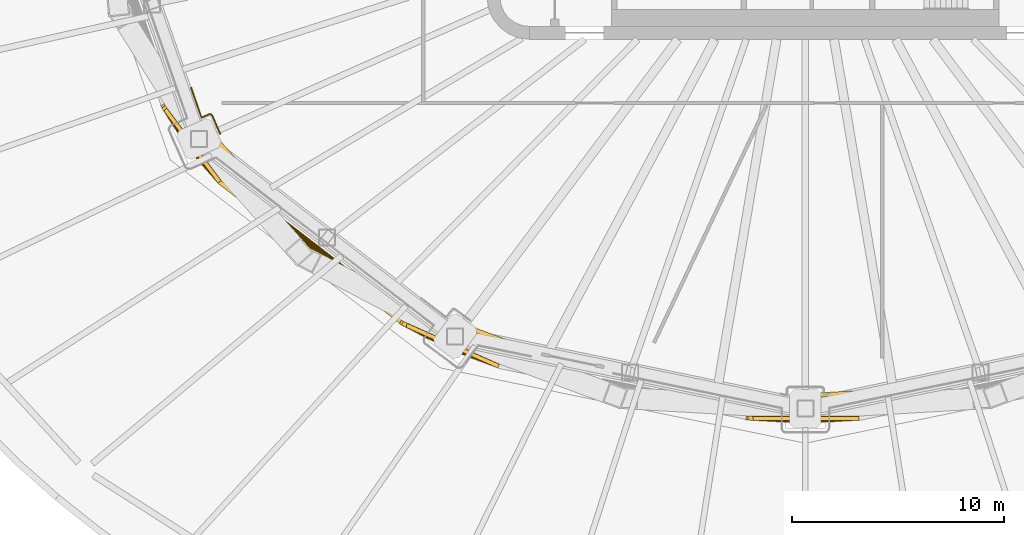
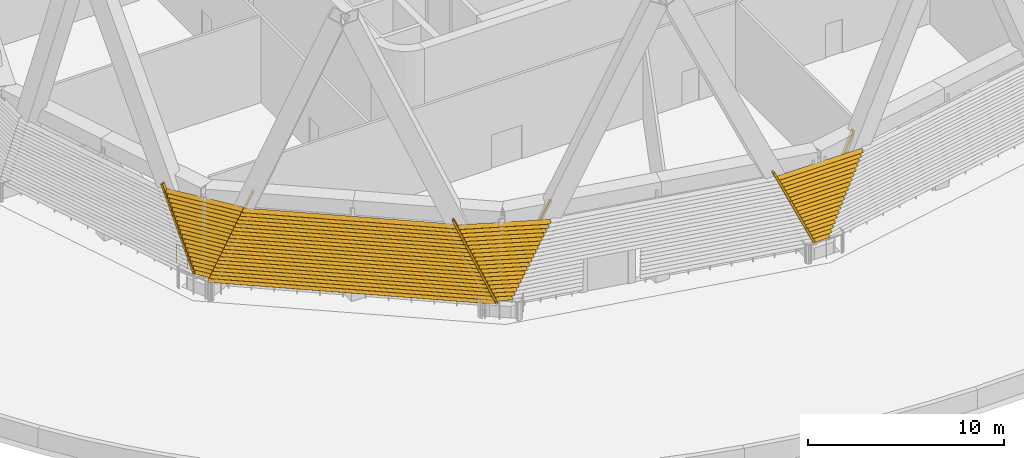
# One storey, part 16 of 27: 4 shading devices, 1 railing.
"""IFC4 building model written with IfcOpenShell, lengths in metres."""

from ifc_helpers import new_model, si_unit, direction, frame, origin, origin_2d, place, context, subcontext, project, spatial, rectangle, circle, extrude, material, type_object, element, save


model = new_model("IFC4")

# Units and contexts
model_context = context("Model", 3, precision=1e-05, world=origin(), true_north=direction((0.0, 1.0)))
body_context = subcontext(model_context, "Body", "Model", "MODEL_VIEW")
ifc_project = project(units=[si_unit("LENGTHUNIT", "METRE"), si_unit("AREAUNIT", "SQUARE_METRE"), si_unit("VOLUMEUNIT", "CUBIC_METRE"), si_unit("PLANEANGLEUNIT", "RADIAN"), si_unit("MASSUNIT", "GRAM", prefix="KILO")], contexts=[model_context])

# Site, building, storey
site_placement = place(None, origin())
site = spatial("IfcSite", under=ifc_project, at=site_placement, CompositionType="ELEMENT")
building_placement = place(site_placement, origin())
building = spatial("IfcBuilding", under=site, at=building_placement, Name="Sahrelin Media Tower", CompositionType="ELEMENT")
storey_placement = place(building_placement, frame((0.0, 0.0, 44.0)))
storey = spatial("IfcBuildingStorey", under=building, at=storey_placement, Name="L06", CompositionType="ELEMENT", Elevation=44.0)

# Railing
ifc_material_1 = material(Name="Stainless steel 316", Category="steel")
railing_type = type_object("IfcRailingType", Name="Maintenance platform guard", PredefinedType="GUARDRAIL", material=ifc_material_1)
railing_placement = place(storey_placement, frame((-27.5712890625, -12.455078125, 0.0)))
element("IfcRailing", 1, at=railing_placement, inside=storey, type_object=railing_type, Name="Plant level edge guard 8", PredefinedType="GUARDRAIL", context=body_context, shape_type="SweptSolid", body=[
    extrude(circle(Radius=0.02392578125, at=origin_2d()), frame((0.0, 0.0, 1.17578125), z_axis=(-0.406283261409, 0.91374718139, 0.0), x_axis=(-0.91374718139, -0.406283261409, 0.0)), (0.0, 0.0, 1.0), 0.938720703125),
    extrude(circle(Radius=0.02392578125, at=origin_2d()), frame((-0.38134765625, 0.857666015625, 1.17578125), z_axis=(-0.466758619558, 0.884384752847, 0.0), x_axis=(-0.884384752847, -0.466758619558, 0.0)), (0.0, 0.0, 1.0), 0.010009765625),
    extrude(circle(Radius=0.02392578125, at=origin_2d()), frame((-0.385986328125, 0.866455078125, 1.17578125), z_axis=(-0.53966611472, 0.841879138964, 0.0), x_axis=(-0.841879138964, -0.53966611472, 0.0)), (0.0, 0.0, 1.0), 0.01123046875),
    extrude(circle(Radius=0.02392578125, at=origin_2d()), frame((-0.39208984375, 0.8759765625, 1.17578125), z_axis=(-0.621394711002, 0.78349767909, 0.0), x_axis=(-0.78349767909, -0.621394711002, 0.0)), (0.0, 0.0, 1.0), 0.009033203125),
    extrude(circle(Radius=0.02392578125, at=origin_2d()), frame((-0.397705078125, 0.883056640625, 1.17578125), z_axis=(-0.658504607869, 0.752576694707, 0.0), x_axis=(-0.752576694707, -0.658504607869, 0.0)), (0.0, 0.0, 1.0), 0.012939453125),
    extrude(circle(Radius=0.02392578125, at=origin_2d()), frame((-0.40625, 0.892822265625, 1.17578125), z_axis=(-0.77137327854, 0.636382954796, 0.0), x_axis=(-0.636382954796, -0.77137327854, 0.0)), (0.0, 0.0, 1.0), 0.0126953125),
    extrude(circle(Radius=0.02392578125, at=origin_2d()), frame((-0.416015625, 0.90087890625, 1.17578125), z_axis=(-0.815180408266, 0.579207132189, 0.0), x_axis=(-0.579207132189, -0.815180408266, 0.0)), (0.0, 0.0, 1.0), 0.011474609375),
    extrude(circle(Radius=0.02392578125, at=origin_2d()), frame((-0.42529296875, 0.907470703125, 1.17578125), z_axis=(-0.875034042418, 0.484061385167, 0.0), x_axis=(-0.484061385167, -0.875034042418, 0.0)), (0.0, 0.0, 1.0), 0.01318359375),
    extrude(circle(Radius=0.02392578125, at=origin_2d()), frame((-0.436767578125, 0.913818359375, 1.17578125), z_axis=(-0.919145030018, 0.393919298579, 0.0), x_axis=(-0.393919298579, -0.919145030018, 0.0)), (0.0, 0.0, 1.0), 0.01123046875),
    extrude(circle(Radius=0.02392578125, at=origin_2d()), frame((-0.447021484375, 0.918212890625, 1.17578125), z_axis=(-0.948683298051, 0.316227766017, 0.0), x_axis=(-0.316227766017, -0.948683298051, 0.0)), (0.0, 0.0, 1.0), 0.010009765625),
    extrude(circle(Radius=0.02392578125, at=origin_2d()), frame((-0.45654296875, 0.92138671875, 1.17578125), z_axis=(-0.971297311632, 0.237868729379, 0.0), x_axis=(-0.237868729379, -0.971297311632, 0.0)), (0.0, 0.0, 1.0), 0.01220703125),
    extrude(circle(Radius=0.02392578125, at=origin_2d()), frame((-0.468505859375, 0.92431640625, 1.17578125), z_axis=(-0.99503719021, 0.099503719021, 0.0), x_axis=(-0.099503719021, -0.99503719021, 0.0)), (0.0, 0.0, 1.0), 0.01220703125),
    extrude(circle(Radius=0.02392578125, at=origin_2d()), frame((-0.480712890625, 0.925537109375, 1.17578125), z_axis=(-0.998052578483, 0.062378286155, 0.0), x_axis=(-0.062378286155, -0.998052578483, 0.0)), (0.0, 0.0, 1.0), 0.01171875),
    extrude(circle(Radius=0.02392578125, at=origin_2d()), frame((-0.492431640625, 0.92626953125, 1.17578125), z_axis=(-0.99522852512, -0.097571424031, 0.0), x_axis=(0.097571424031, -0.99522852512, 0.0)), (0.0, 0.0, 1.0), 0.012451171875),
    extrude(circle(Radius=0.02392578125, at=origin_2d()), frame((-0.5048828125, 0.925048828125, 1.17578125), z_axis=(-0.987440631917, -0.157990501107, 0.0), x_axis=(0.157990501107, -0.987440631917, 0.0)), (0.0, 0.0, 1.0), 0.012451171875),
    extrude(circle(Radius=0.02392578125, at=origin_2d()), frame((-0.51708984375, 0.923095703125, 1.17578125), z_axis=(-0.950605456491, -0.310401781711, 0.0), x_axis=(0.310401781711, -0.950605456491, 0.0)), (0.0, 0.0, 1.0), 0.0126953125),
    extrude(circle(Radius=0.02392578125, at=origin_2d()), frame((-0.529052734375, 0.919189453125, 1.17578125), z_axis=(-0.934997526318, -0.354654234121, 0.0), x_axis=(0.354654234121, -0.934997526318, 0.0)), (0.0, 0.0, 1.0), 0.007568359375),
    extrude(circle(Radius=0.02392578125, at=origin_2d()), frame((-0.5361328125, 0.91650390625, 1.17578125), z_axis=(-0.913891374695, -0.405958809805, 0.0), x_axis=(0.405958809805, -0.913891374695, 0.0)), (0.0, 0.0, 1.0), 0.378173828125),
    extrude(circle(Radius=0.02392578125, at=origin_2d()), frame((-0.8818359375, 0.762939453125, 1.17578125), z_axis=(-0.328798392756, 0.944400136024, 0.0), x_axis=(-0.944400136024, -0.328798392756, 0.0)), (0.0, 0.0, 1.0), 1.5),
    extrude(circle(Radius=0.02099609375, at=origin_2d()), origin(), (0.0, 0.0, 1.0), 1.15185546875),
    extrude(circle(Radius=0.02099609375, at=origin_2d()), frame((-0.38134765625, 0.857666015625, 0.0)), (0.0, 0.0, 1.0), 1.15185546875),
    extrude(circle(Radius=0.02099609375, at=origin_2d()), frame((-0.385986328125, 0.866455078125, 0.0)), (0.0, 0.0, 1.0), 1.15185546875),
    extrude(circle(Radius=0.02099609375, at=origin_2d()), frame((-0.39208984375, 0.8759765625, 0.0)), (0.0, 0.0, 1.0), 1.15185546875),
    extrude(circle(Radius=0.02099609375, at=origin_2d()), frame((-0.397705078125, 0.883056640625, 0.0)), (0.0, 0.0, 1.0), 1.15185546875),
    extrude(circle(Radius=0.02099609375, at=origin_2d()), frame((-0.40625, 0.892822265625, 0.0)), (0.0, 0.0, 1.0), 1.15185546875),
    extrude(circle(Radius=0.02099609375, at=origin_2d()), frame((-0.416015625, 0.90087890625, 0.0)), (0.0, 0.0, 1.0), 1.15185546875),
    extrude(circle(Radius=0.02099609375, at=origin_2d()), frame((-0.42529296875, 0.907470703125, 0.0)), (0.0, 0.0, 1.0), 1.15185546875),
    extrude(circle(Radius=0.02099609375, at=origin_2d()), frame((-0.436767578125, 0.913818359375, 0.0)), (0.0, 0.0, 1.0), 1.15185546875),
    extrude(circle(Radius=0.02099609375, at=origin_2d()), frame((-0.447021484375, 0.918212890625, 0.0)), (0.0, 0.0, 1.0), 1.15185546875),
    extrude(circle(Radius=0.02099609375, at=origin_2d()), frame((-0.45654296875, 0.92138671875, 0.0)), (0.0, 0.0, 1.0), 1.15185546875),
    extrude(circle(Radius=0.02099609375, at=origin_2d()), frame((-0.468505859375, 0.92431640625, 0.0)), (0.0, 0.0, 1.0), 1.15185546875),
    extrude(circle(Radius=0.02099609375, at=origin_2d()), frame((-0.480712890625, 0.925537109375, 0.0)), (0.0, 0.0, 1.0), 1.15185546875),
    extrude(circle(Radius=0.02099609375, at=origin_2d()), frame((-0.492431640625, 0.92626953125, 0.0)), (0.0, 0.0, 1.0), 1.15185546875),
    extrude(circle(Radius=0.02099609375, at=origin_2d()), frame((-0.5048828125, 0.925048828125, 0.0)), (0.0, 0.0, 1.0), 1.15185546875),
    extrude(circle(Radius=0.02099609375, at=origin_2d()), frame((-0.51708984375, 0.923095703125, 0.0)), (0.0, 0.0, 1.0), 1.15185546875),
    extrude(circle(Radius=0.02099609375, at=origin_2d()), frame((-0.529052734375, 0.919189453125, 0.0)), (0.0, 0.0, 1.0), 1.15185546875),
    extrude(circle(Radius=0.02099609375, at=origin_2d()), frame((-0.5361328125, 0.91650390625, 0.0)), (0.0, 0.0, 1.0), 1.15185546875),
    extrude(circle(Radius=0.02099609375, at=origin_2d()), frame((-0.8818359375, 0.762939453125, 0.0)), (0.0, 0.0, 1.0), 1.15185546875),
    extrude(circle(Radius=0.02099609375, at=origin_2d()), frame((-1.12841796875, 1.47119140625, 0.0)), (0.0, 0.0, 1.0), 1.15185546875),
    extrude(circle(Radius=0.02099609375, at=origin_2d()), frame((-1.375, 2.179443359375, 0.0)), (0.0, 0.0, 1.0), 1.15185546875),
])

# Shading devices
ifc_material_2 = material(Name="Champagne anodised aluminium 6063-T6", Category="aluminium")
shading_device_type = type_object("IfcShadingDeviceType", Name="Sand-rejection louvre band", PredefinedType="USERDEFINED", material=ifc_material_2)
shading_device_1_placement = place(storey_placement, frame((-28.564453125, -12.71923828125, 0.0), z_axis=(0.0, 0.0, 1.0), x_axis=(-0.6, 0.8, 0.0)))
element("IfcShadingDevice", 2, at=shading_device_1_placement, inside=storey, type_object=shading_device_type, Name="L06:LOUVRE:L06-14", ObjectType="LOUVRE", PredefinedType="USERDEFINED", context=body_context, shape_type="SweptSolid", body=[
    extrude(rectangle(XDim=0.199951171875, YDim=0.1201171875, at=origin_2d()), frame((0.428955078125, 0.56787109375, 0.949951171875), z_axis=(0.349254108334, -0.029641998978, 0.936559085007), x_axis=(0.084568259593, 0.996417688256, 0.0)), (0.0, 0.0, 1.0), 5.337158203125),
    extrude(rectangle(XDim=0.199951171875, YDim=0.1201171875, at=origin_2d()), frame((-0.295166015625, -0.628173828125, 0.949951171875), z_axis=(-0.361058414032, -0.029454645553, 0.932077918155), x_axis=(0.081308507287, -0.996688981901, 0.0)), (0.0, 0.0, 1.0), 5.36279296875),
    extrude(rectangle(XDim=0.25, YDim=0.02001953125, at=origin_2d()), frame((0.466552734375, 0.56689453125, 1.050048828125), z_axis=(-1.0, 0.0, 0.0), x_axis=(0.0, -0.766044443119, 0.642787609687)), (0.0, 0.0, 1.0), 0.898193359375),
    extrude(rectangle(XDim=0.25, YDim=0.02001953125, at=origin_2d()), frame((0.559814453125, 0.558837890625, 1.300048828125), z_axis=(-1.0, 0.0, 0.0), x_axis=(0.0, -0.766044443119, 0.642787609687)), (0.0, 0.0, 1.0), 1.08837890625),
    extrude(rectangle(XDim=0.25, YDim=0.02001953125, at=origin_2d()), frame((0.653076171875, 0.551025390625, 1.550048828125), z_axis=(-1.0, 0.0, 0.0), x_axis=(0.0, -0.766044443119, 0.642787609687)), (0.0, 0.0, 1.0), 1.278564453125),
    extrude(rectangle(XDim=0.25, YDim=0.02001953125, at=origin_2d()), frame((0.74609375, 0.543212890625, 1.800048828125), z_axis=(-1.0, 0.0, 0.0), x_axis=(0.0, -0.766044443119, 0.642787609687)), (0.0, 0.0, 1.0), 1.46826171875),
    extrude(rectangle(XDim=0.25, YDim=0.02001953125, at=origin_2d()), frame((0.83935546875, 0.53515625, 2.050048828125), z_axis=(-1.0, 0.0, 0.0), x_axis=(0.0, -0.766044443119, 0.642787609687)), (0.0, 0.0, 1.0), 1.658447265625),
    extrude(rectangle(XDim=0.25, YDim=0.02001953125, at=origin_2d()), frame((0.9326171875, 0.527099609375, 2.300048828125), z_axis=(-1.0, 0.0, 0.0), x_axis=(0.0, -0.766044443119, 0.642787609687)), (0.0, 0.0, 1.0), 1.8486328125),
    extrude(rectangle(XDim=0.25, YDim=0.02001953125, at=origin_2d()), frame((1.02587890625, 0.519287109375, 2.550048828125), z_axis=(-1.0, 0.0, 0.0), x_axis=(0.0, -0.766044443119, 0.642787609687)), (0.0, 0.0, 1.0), 2.03857421875),
    extrude(rectangle(XDim=0.25, YDim=0.02001953125, at=origin_2d()), frame((1.119140625, 0.511474609375, 2.800048828125), z_axis=(-1.0, 0.0, 0.0), x_axis=(0.0, -0.766044443119, 0.642787609687)), (0.0, 0.0, 1.0), 2.228759765625),
    extrude(rectangle(XDim=0.25, YDim=0.02001953125, at=origin_2d()), frame((1.21240234375, 0.50341796875, 3.050048828125), z_axis=(-1.0, 0.0, 0.0), x_axis=(0.0, -0.766044443119, 0.642787609687)), (0.0, 0.0, 1.0), 2.4189453125),
    extrude(rectangle(XDim=0.25, YDim=0.02001953125, at=origin_2d()), frame((1.305419921875, 0.49560546875, 3.300048828125), z_axis=(-1.0, 0.0, 0.0), x_axis=(0.0, -0.766044443119, 0.642787609687)), (0.0, 0.0, 1.0), 2.608642578125),
    extrude(rectangle(XDim=0.25, YDim=0.02001953125, at=origin_2d()), frame((1.398681640625, 0.48779296875, 3.550048828125), z_axis=(-1.0, 0.0, 0.0), x_axis=(0.0, -0.766044443119, 0.642787609687)), (0.0, 0.0, 1.0), 2.798828125),
    extrude(rectangle(XDim=0.25, YDim=0.02001953125, at=origin_2d()), frame((1.491943359375, 0.479736328125, 3.800048828125), z_axis=(-1.0, 0.0, 0.0), x_axis=(0.0, -0.766044443119, 0.642787609687)), (0.0, 0.0, 1.0), 2.989013671875),
    extrude(rectangle(XDim=0.25, YDim=0.02001953125, at=origin_2d()), frame((1.585205078125, 0.471923828125, 4.050048828125), z_axis=(-1.0, 0.0, 0.0), x_axis=(0.0, -0.766044443119, 0.642787609687)), (0.0, 0.0, 1.0), 3.17919921875),
    extrude(rectangle(XDim=0.25, YDim=0.02001953125, at=origin_2d()), frame((1.678466796875, 0.464111328125, 4.300048828125), z_axis=(-1.0, 0.0, 0.0), x_axis=(0.0, -0.766044443119, 0.642787609687)), (0.0, 0.0, 1.0), 3.369140625),
    extrude(rectangle(XDim=0.25, YDim=0.02001953125, at=origin_2d()), frame((1.771484375, 0.4560546875, 4.550048828125), z_axis=(-1.0, 0.0, 0.0), x_axis=(0.0, -0.766044443119, 0.642787609687)), (0.0, 0.0, 1.0), 3.55908203125),
    extrude(rectangle(XDim=0.25, YDim=0.02001953125, at=origin_2d()), frame((1.86474609375, 0.447998046875, 4.800048828125), z_axis=(-1.0, 0.0, 0.0), x_axis=(0.0, -0.766044443119, 0.642787609687)), (0.0, 0.0, 1.0), 3.749267578125),
    extrude(rectangle(XDim=0.25, YDim=0.02001953125, at=origin_2d()), frame((1.9580078125, 0.440185546875, 5.050048828125), z_axis=(-1.0, 0.0, 0.0), x_axis=(0.0, -0.766044443119, 0.642787609687)), (0.0, 0.0, 1.0), 3.939208984375),
    extrude(rectangle(XDim=0.25, YDim=0.02001953125, at=origin_2d()), frame((2.05126953125, 0.432373046875, 5.300048828125), z_axis=(-1.0, 0.0, 0.0), x_axis=(0.0, -0.766044443119, 0.642787609687)), (0.0, 0.0, 1.0), 4.12939453125),
    extrude(rectangle(XDim=0.25, YDim=0.02001953125, at=origin_2d()), frame((2.14453125, 0.42431640625, 5.550048828125), z_axis=(-1.0, 0.0, 0.0), x_axis=(0.0, -0.766044443119, 0.642787609687)), (0.0, 0.0, 1.0), 4.319580078125),
])
shading_device_2_placement = place(storey_placement, frame((-22.594482421875, -17.30615234375, 0.0), z_axis=(0.0, 0.0, 1.0), x_axis=(-0.792449224512, 0.609937887469, 0.0)))
element("IfcShadingDevice", 3, at=shading_device_2_placement, inside=storey, type_object=shading_device_type, Name="L06:LOUVRE:L06-15", ObjectType="LOUVRE", PredefinedType="USERDEFINED", context=body_context, shape_type="SweptSolid", body=[
    extrude(rectangle(XDim=0.199951171875, YDim=0.1201171875, at=origin_2d()), frame((7.190673828125, -0.54150390625, 0.64990234375), z_axis=(-0.355770461519, 0.068328199454, 0.932072226745), x_axis=(-0.188609953797, -0.982052078725, 0.0)), (0.0, 0.0, 1.0), 5.684814453125),
    extrude(rectangle(XDim=0.199951171875, YDim=0.1201171875, at=origin_2d()), frame((-7.520263671875, 0.638671875, 0.64990234375), z_axis=(0.386774227408, 0.067421693416, 0.919706481585), x_axis=(-0.171728349686, 0.985144341665, 0.0)), (0.0, 0.0, 1.0), 5.76123046875),
    extrude(rectangle(XDim=0.25, YDim=0.02001953125, at=origin_2d()), frame((7.380859375, 0.655029296875, 0.75), z_axis=(-1.0, 0.0, 0.0), x_axis=(0.0, -0.766044443119, 0.642787609687)), (0.0, 0.0, 1.0), 14.860595703125),
    extrude(rectangle(XDim=0.25, YDim=0.02001953125, at=origin_2d()), frame((7.285400390625, 0.67333984375, 1.0), z_axis=(-1.0, 0.0, 0.0), x_axis=(0.0, -0.766044443119, 0.642787609687)), (0.0, 0.0, 1.0), 14.659912109375),
    extrude(rectangle(XDim=0.25, YDim=0.02001953125, at=origin_2d()), frame((7.18994140625, 0.691650390625, 1.25), z_axis=(-1.0, 0.0, 0.0), x_axis=(0.0, -0.766044443119, 0.642787609687)), (0.0, 0.0, 1.0), 14.45947265625),
    extrude(rectangle(XDim=0.25, YDim=0.02001953125, at=origin_2d()), frame((7.094482421875, 0.7099609375, 1.5), z_axis=(-1.0, 0.0, 0.0), x_axis=(0.0, -0.766044443119, 0.642787609687)), (0.0, 0.0, 1.0), 14.2587890625),
    extrude(rectangle(XDim=0.25, YDim=0.02001953125, at=origin_2d()), frame((6.9990234375, 0.728271484375, 1.75), z_axis=(-1.0, 0.0, 0.0), x_axis=(0.0, -0.766044443119, 0.642787609687)), (0.0, 0.0, 1.0), 14.05810546875),
    extrude(rectangle(XDim=0.25, YDim=0.02001953125, at=origin_2d()), frame((6.90380859375, 0.74658203125, 2.0), z_axis=(-1.0, 0.0, 0.0), x_axis=(0.0, -0.766044443119, 0.642787609687)), (0.0, 0.0, 1.0), 13.85791015625),
    extrude(rectangle(XDim=0.25, YDim=0.02001953125, at=origin_2d()), frame((6.808349609375, 0.764892578125, 2.25), z_axis=(-1.0, 0.0, 0.0), x_axis=(0.0, -0.766044443119, 0.642787609687)), (0.0, 0.0, 1.0), 13.657470703125),
    extrude(rectangle(XDim=0.25, YDim=0.02001953125, at=origin_2d()), frame((6.712890625, 0.783203125, 2.5), z_axis=(-1.0, 0.0, 0.0), x_axis=(0.0, -0.766044443119, 0.642787609687)), (0.0, 0.0, 1.0), 13.456787109375),
    extrude(rectangle(XDim=0.25, YDim=0.02001953125, at=origin_2d()), frame((6.617431640625, 0.801513671875, 2.75), z_axis=(-1.0, 0.0, 0.0), x_axis=(0.0, -0.766044443119, 0.642787609687)), (0.0, 0.0, 1.0), 13.256103515625),
    extrude(rectangle(XDim=0.25, YDim=0.02001953125, at=origin_2d()), frame((6.52197265625, 0.820068359375, 3.0), z_axis=(-1.0, 0.0, 0.0), x_axis=(0.0, -0.766044443119, 0.642787609687)), (0.0, 0.0, 1.0), 13.0556640625),
    extrude(rectangle(XDim=0.25, YDim=0.02001953125, at=origin_2d()), frame((6.426513671875, 0.83837890625, 3.25), z_axis=(-1.0, 0.0, 0.0), x_axis=(0.0, -0.766044443119, 0.642787609687)), (0.0, 0.0, 1.0), 12.85498046875),
    extrude(rectangle(XDim=0.25, YDim=0.02001953125, at=origin_2d()), frame((6.3310546875, 0.856689453125, 3.5), z_axis=(-1.0, 0.0, 0.0), x_axis=(0.0, -0.766044443119, 0.642787609687)), (0.0, 0.0, 1.0), 12.654296875),
    extrude(rectangle(XDim=0.25, YDim=0.02001953125, at=origin_2d()), frame((6.235595703125, 0.875, 3.75), z_axis=(-1.0, 0.0, 0.0), x_axis=(0.0, -0.766044443119, 0.642787609687)), (0.0, 0.0, 1.0), 12.453857421875),
    extrude(rectangle(XDim=0.25, YDim=0.02001953125, at=origin_2d()), frame((6.140380859375, 0.893310546875, 4.0), z_axis=(-1.0, 0.0, 0.0), x_axis=(0.0, -0.766044443119, 0.642787609687)), (0.0, 0.0, 1.0), 12.25341796875),
    extrude(rectangle(XDim=0.25, YDim=0.02001953125, at=origin_2d()), frame((6.044921875, 0.91162109375, 4.25), z_axis=(-1.0, 0.0, 0.0), x_axis=(0.0, -0.766044443119, 0.642787609687)), (0.0, 0.0, 1.0), 12.052734375),
    extrude(rectangle(XDim=0.25, YDim=0.02001953125, at=origin_2d()), frame((5.949462890625, 0.929931640625, 4.5), z_axis=(-1.0, 0.0, 0.0), x_axis=(0.0, -0.766044443119, 0.642787609687)), (0.0, 0.0, 1.0), 11.852294921875),
    extrude(rectangle(XDim=0.25, YDim=0.02001953125, at=origin_2d()), frame((5.85400390625, 0.9482421875, 4.75), z_axis=(-1.0, 0.0, 0.0), x_axis=(0.0, -0.766044443119, 0.642787609687)), (0.0, 0.0, 1.0), 11.651611328125),
    extrude(rectangle(XDim=0.25, YDim=0.02001953125, at=origin_2d()), frame((5.758544921875, 0.966552734375, 5.0), z_axis=(-1.0, 0.0, 0.0), x_axis=(0.0, -0.766044443119, 0.642787609687)), (0.0, 0.0, 1.0), 11.450927734375),
    extrude(rectangle(XDim=0.25, YDim=0.02001953125, at=origin_2d()), frame((5.6630859375, 0.98486328125, 5.25), z_axis=(-1.0, 0.0, 0.0), x_axis=(0.0, -0.766044443119, 0.642787609687)), (0.0, 0.0, 1.0), 11.25048828125),
    extrude(rectangle(XDim=0.25, YDim=0.02001953125, at=origin_2d()), frame((5.567626953125, 1.003173828125, 5.5), z_axis=(-1.0, 0.0, 0.0), x_axis=(0.0, -0.766044443119, 0.642787609687)), (0.0, 0.0, 1.0), 11.050048828125),
])
shading_device_3_placement = place(storey_placement, frame((-16.480712890625, -22.005615234375, 0.0), z_axis=(0.0, 0.0, 1.0), x_axis=(-0.913823919654, 0.406110630085, 0.0)))
element("IfcShadingDevice", 4, at=shading_device_3_placement, inside=storey, type_object=shading_device_type, Name="L06:LOUVRE:L06-16", ObjectType="LOUVRE", PredefinedType="USERDEFINED", context=body_context, shape_type="SweptSolid", body=[
    extrude(rectangle(XDim=0.199951171875, YDim=0.1201171875, at=origin_2d()), frame((0.42236328125, 0.5751953125, 0.85009765625), z_axis=(0.391747813898, -0.02563206607, 0.919715525309), x_axis=(0.065290409158, 0.997866304909, 0.0)), (0.0, 0.0, 1.0), 5.54345703125),
    extrude(rectangle(XDim=0.199951171875, YDim=0.1201171875, at=origin_2d()), frame((-0.313720703125, -0.622314453125, 0.85009765625), z_axis=(-0.401670065779, -0.025512602672, 0.915429006184), x_axis=(0.063388579339, -0.997988921787, 0.0)), (0.0, 0.0, 1.0), 5.5693359375),
    extrude(rectangle(XDim=0.25, YDim=0.02001953125, at=origin_2d()), frame((0.465087890625, 0.573486328125, 0.949951171875), z_axis=(-1.0, 0.0, 0.0), x_axis=(0.0, -0.766044443119, 0.642787609687)), (0.0, 0.0, 1.0), 0.898681640625),
    extrude(rectangle(XDim=0.25, YDim=0.02001953125, at=origin_2d()), frame((0.571533203125, 0.566650390625, 1.199951171875), z_axis=(-1.0, 0.0, 0.0), x_axis=(0.0, -0.766044443119, 0.642787609687)), (0.0, 0.0, 1.0), 1.114990234375),
    extrude(rectangle(XDim=0.25, YDim=0.02001953125, at=origin_2d()), frame((0.677978515625, 0.559814453125, 1.449951171875), z_axis=(-1.0, 0.0, 0.0), x_axis=(0.0, -0.766044443119, 0.642787609687)), (0.0, 0.0, 1.0), 1.3310546875),
    extrude(rectangle(XDim=0.25, YDim=0.02001953125, at=origin_2d()), frame((0.784423828125, 0.552734375, 1.699951171875), z_axis=(-1.0, 0.0, 0.0), x_axis=(0.0, -0.766044443119, 0.642787609687)), (0.0, 0.0, 1.0), 1.547119140625),
    extrude(rectangle(XDim=0.25, YDim=0.02001953125, at=origin_2d()), frame((0.890869140625, 0.5458984375, 1.949951171875), z_axis=(-1.0, 0.0, 0.0), x_axis=(0.0, -0.766044443119, 0.642787609687)), (0.0, 0.0, 1.0), 1.76318359375),
    extrude(rectangle(XDim=0.25, YDim=0.02001953125, at=origin_2d()), frame((0.997314453125, 0.538818359375, 2.199951171875), z_axis=(-1.0, 0.0, 0.0), x_axis=(0.0, -0.766044443119, 0.642787609687)), (0.0, 0.0, 1.0), 1.9794921875),
    extrude(rectangle(XDim=0.25, YDim=0.02001953125, at=origin_2d()), frame((1.10400390625, 0.531982421875, 2.449951171875), z_axis=(-1.0, 0.0, 0.0), x_axis=(0.0, -0.766044443119, 0.642787609687)), (0.0, 0.0, 1.0), 2.19580078125),
    extrude(rectangle(XDim=0.25, YDim=0.02001953125, at=origin_2d()), frame((1.21044921875, 0.52490234375, 2.699951171875), z_axis=(-1.0, 0.0, 0.0), x_axis=(0.0, -0.766044443119, 0.642787609687)), (0.0, 0.0, 1.0), 2.411865234375),
    extrude(rectangle(XDim=0.25, YDim=0.02001953125, at=origin_2d()), frame((1.31689453125, 0.51806640625, 2.949951171875), z_axis=(-1.0, 0.0, 0.0), x_axis=(0.0, -0.766044443119, 0.642787609687)), (0.0, 0.0, 1.0), 2.628173828125),
    extrude(rectangle(XDim=0.25, YDim=0.02001953125, at=origin_2d()), frame((1.42333984375, 0.510986328125, 3.199951171875), z_axis=(-1.0, 0.0, 0.0), x_axis=(0.0, -0.766044443119, 0.642787609687)), (0.0, 0.0, 1.0), 2.84423828125),
    extrude(rectangle(XDim=0.25, YDim=0.02001953125, at=origin_2d()), frame((1.52978515625, 0.504150390625, 3.449951171875), z_axis=(-1.0, 0.0, 0.0), x_axis=(0.0, -0.766044443119, 0.642787609687)), (0.0, 0.0, 1.0), 3.060302734375),
    extrude(rectangle(XDim=0.25, YDim=0.02001953125, at=origin_2d()), frame((1.636474609375, 0.4970703125, 3.699951171875), z_axis=(-1.0, 0.0, 0.0), x_axis=(0.0, -0.766044443119, 0.642787609687)), (0.0, 0.0, 1.0), 3.276611328125),
    extrude(rectangle(XDim=0.25, YDim=0.02001953125, at=origin_2d()), frame((1.742919921875, 0.489990234375, 3.949951171875), z_axis=(-1.0, 0.0, 0.0), x_axis=(0.0, -0.766044443119, 0.642787609687)), (0.0, 0.0, 1.0), 3.492919921875),
    extrude(rectangle(XDim=0.25, YDim=0.02001953125, at=origin_2d()), frame((1.849365234375, 0.483154296875, 4.199951171875), z_axis=(-1.0, 0.0, 0.0), x_axis=(0.0, -0.766044443119, 0.642787609687)), (0.0, 0.0, 1.0), 3.708984375),
    extrude(rectangle(XDim=0.25, YDim=0.02001953125, at=origin_2d()), frame((1.955810546875, 0.476318359375, 4.449951171875), z_axis=(-1.0, 0.0, 0.0), x_axis=(0.0, -0.766044443119, 0.642787609687)), (0.0, 0.0, 1.0), 3.925048828125),
    extrude(rectangle(XDim=0.25, YDim=0.02001953125, at=origin_2d()), frame((2.062255859375, 0.46923828125, 4.699951171875), z_axis=(-1.0, 0.0, 0.0), x_axis=(0.0, -0.766044443119, 0.642787609687)), (0.0, 0.0, 1.0), 4.14111328125),
    extrude(rectangle(XDim=0.25, YDim=0.02001953125, at=origin_2d()), frame((2.168701171875, 0.46240234375, 4.949951171875), z_axis=(-1.0, 0.0, 0.0), x_axis=(0.0, -0.766044443119, 0.642787609687)), (0.0, 0.0, 1.0), 4.357421875),
    extrude(rectangle(XDim=0.25, YDim=0.02001953125, at=origin_2d()), frame((2.275390625, 0.455322265625, 5.199951171875), z_axis=(-1.0, 0.0, 0.0), x_axis=(0.0, -0.766044443119, 0.642787609687)), (0.0, 0.0, 1.0), 4.57373046875),
    extrude(rectangle(XDim=0.25, YDim=0.02001953125, at=origin_2d()), frame((2.3818359375, 0.448486328125, 5.449951171875), z_axis=(-1.0, 0.0, 0.0), x_axis=(0.0, -0.766044443119, 0.642787609687)), (0.0, 0.0, 1.0), 4.789794921875),
])
shading_device_4_placement = place(storey_placement, frame((0.0, -25.39990234375, 0.0), z_axis=(0.0, 0.0, 1.0), x_axis=(-1.0, 0.0, 0.0)))
element("IfcShadingDevice", 5, at=shading_device_4_placement, inside=storey, type_object=shading_device_type, Name="L06:LOUVRE:L06-18", ObjectType="LOUVRE", PredefinedType="USERDEFINED", context=body_context, shape_type="SweptSolid", body=[
    extrude(rectangle(XDim=0.199951171875, YDim=0.1201171875, at=origin_2d()), frame((0.42236328125, 0.57666015625, 0.85009765625), z_axis=(0.414936891707, -0.023998134495, 0.909533652726), x_axis=(0.057739138144, 0.998331704358, 0.0)), (0.0, 0.0, 1.0), 5.60546875),
    extrude(rectangle(XDim=0.199951171875, YDim=0.1201171875, at=origin_2d()), frame((-0.353271484375, -0.621337890625, 0.85009765625), z_axis=(-0.414936891707, -0.023998134495, 0.909533652726), x_axis=(0.057739138144, -0.998331704358, 0.0)), (0.0, 0.0, 1.0), 5.60546875),
    extrude(rectangle(XDim=0.25, YDim=0.02001953125, at=origin_2d()), frame((0.468017578125, 0.574951171875, 0.949951171875), z_axis=(-1.0, 0.0, 0.0), x_axis=(0.0, -0.766044443119, 0.642787609687)), (0.0, 0.0, 1.0), 0.93603515625),
    extrude(rectangle(XDim=0.25, YDim=0.02001953125, at=origin_2d()), frame((0.58203125, 0.568359375, 1.199951171875), z_axis=(-1.0, 0.0, 0.0), x_axis=(0.0, -0.766044443119, 0.642787609687)), (0.0, 0.0, 1.0), 1.1640625),
    extrude(rectangle(XDim=0.25, YDim=0.02001953125, at=origin_2d()), frame((0.6962890625, 0.561767578125, 1.449951171875), z_axis=(-1.0, 0.0, 0.0), x_axis=(0.0, -0.766044443119, 0.642787609687)), (0.0, 0.0, 1.0), 1.392578125),
    extrude(rectangle(XDim=0.25, YDim=0.02001953125, at=origin_2d()), frame((0.810302734375, 0.55517578125, 1.699951171875), z_axis=(-1.0, 0.0, 0.0), x_axis=(0.0, -0.766044443119, 0.642787609687)), (0.0, 0.0, 1.0), 1.62060546875),
    extrude(rectangle(XDim=0.25, YDim=0.02001953125, at=origin_2d()), frame((0.92431640625, 0.548583984375, 1.949951171875), z_axis=(-1.0, 0.0, 0.0), x_axis=(0.0, -0.766044443119, 0.642787609687)), (0.0, 0.0, 1.0), 1.8486328125),
    extrude(rectangle(XDim=0.25, YDim=0.02001953125, at=origin_2d()), frame((1.038330078125, 0.5419921875, 2.199951171875), z_axis=(-1.0, 0.0, 0.0), x_axis=(0.0, -0.766044443119, 0.642787609687)), (0.0, 0.0, 1.0), 2.07666015625),
    extrude(rectangle(XDim=0.25, YDim=0.02001953125, at=origin_2d()), frame((1.15234375, 0.535400390625, 2.449951171875), z_axis=(-1.0, 0.0, 0.0), x_axis=(0.0, -0.766044443119, 0.642787609687)), (0.0, 0.0, 1.0), 2.3046875),
    extrude(rectangle(XDim=0.25, YDim=0.02001953125, at=origin_2d()), frame((1.266357421875, 0.52880859375, 2.699951171875), z_axis=(-1.0, 0.0, 0.0), x_axis=(0.0, -0.766044443119, 0.642787609687)), (0.0, 0.0, 1.0), 2.53271484375),
    extrude(rectangle(XDim=0.25, YDim=0.02001953125, at=origin_2d()), frame((1.380615234375, 0.522216796875, 2.949951171875), z_axis=(-1.0, 0.0, 0.0), x_axis=(0.0, -0.766044443119, 0.642787609687)), (0.0, 0.0, 1.0), 2.76123046875),
    extrude(rectangle(XDim=0.25, YDim=0.02001953125, at=origin_2d()), frame((1.494384765625, 0.515625, 3.199951171875), z_axis=(-1.0, 0.0, 0.0), x_axis=(0.0, -0.766044443119, 0.642787609687)), (0.0, 0.0, 1.0), 2.98876953125),
    extrude(rectangle(XDim=0.25, YDim=0.02001953125, at=origin_2d()), frame((1.608642578125, 0.509033203125, 3.449951171875), z_axis=(-1.0, 0.0, 0.0), x_axis=(0.0, -0.766044443119, 0.642787609687)), (0.0, 0.0, 1.0), 3.21728515625),
    extrude(rectangle(XDim=0.25, YDim=0.02001953125, at=origin_2d()), frame((1.72265625, 0.50244140625, 3.699951171875), z_axis=(-1.0, 0.0, 0.0), x_axis=(0.0, -0.766044443119, 0.642787609687)), (0.0, 0.0, 1.0), 3.4453125),
    extrude(rectangle(XDim=0.25, YDim=0.02001953125, at=origin_2d()), frame((1.836669921875, 0.495849609375, 3.949951171875), z_axis=(-1.0, 0.0, 0.0), x_axis=(0.0, -0.766044443119, 0.642787609687)), (0.0, 0.0, 1.0), 3.67333984375),
    extrude(rectangle(XDim=0.25, YDim=0.02001953125, at=origin_2d()), frame((1.95068359375, 0.4892578125, 4.199951171875), z_axis=(-1.0, 0.0, 0.0), x_axis=(0.0, -0.766044443119, 0.642787609687)), (0.0, 0.0, 1.0), 3.9013671875),
    extrude(rectangle(XDim=0.25, YDim=0.02001953125, at=origin_2d()), frame((2.064697265625, 0.482666015625, 4.449951171875), z_axis=(-1.0, 0.0, 0.0), x_axis=(0.0, -0.766044443119, 0.642787609687)), (0.0, 0.0, 1.0), 4.12939453125),
    extrude(rectangle(XDim=0.25, YDim=0.02001953125, at=origin_2d()), frame((2.1787109375, 0.47607421875, 4.699951171875), z_axis=(-1.0, 0.0, 0.0), x_axis=(0.0, -0.766044443119, 0.642787609687)), (0.0, 0.0, 1.0), 4.357421875),
    extrude(rectangle(XDim=0.25, YDim=0.02001953125, at=origin_2d()), frame((2.29296875, 0.469482421875, 4.949951171875), z_axis=(-1.0, 0.0, 0.0), x_axis=(0.0, -0.766044443119, 0.642787609687)), (0.0, 0.0, 1.0), 4.5859375),
    extrude(rectangle(XDim=0.25, YDim=0.02001953125, at=origin_2d()), frame((2.406982421875, 0.462890625, 5.199951171875), z_axis=(-1.0, 0.0, 0.0), x_axis=(0.0, -0.766044443119, 0.642787609687)), (0.0, 0.0, 1.0), 4.81396484375),
    extrude(rectangle(XDim=0.25, YDim=0.02001953125, at=origin_2d()), frame((2.52099609375, 0.456298828125, 5.449951171875), z_axis=(-1.0, 0.0, 0.0), x_axis=(0.0, -0.766044443119, 0.642787609687)), (0.0, 0.0, 1.0), 5.0419921875),
])

save(model, "model.ifc")
